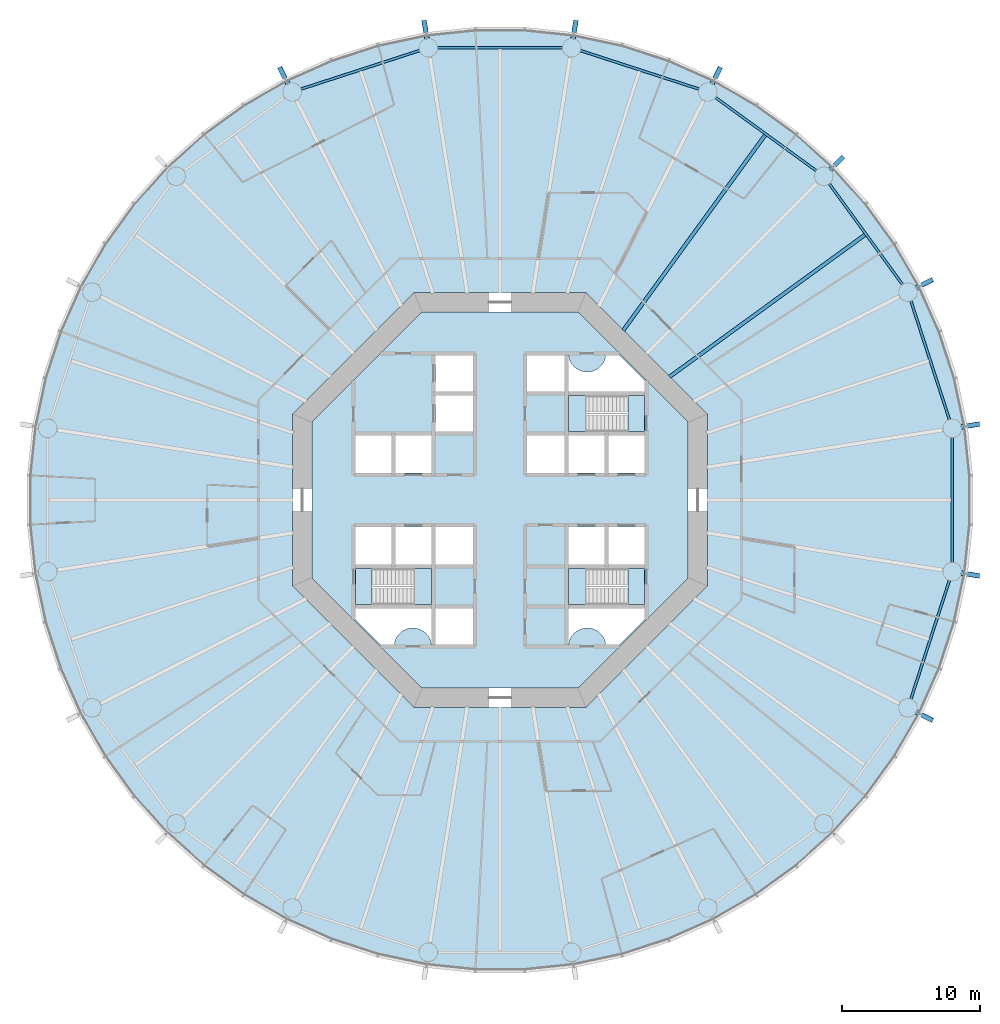
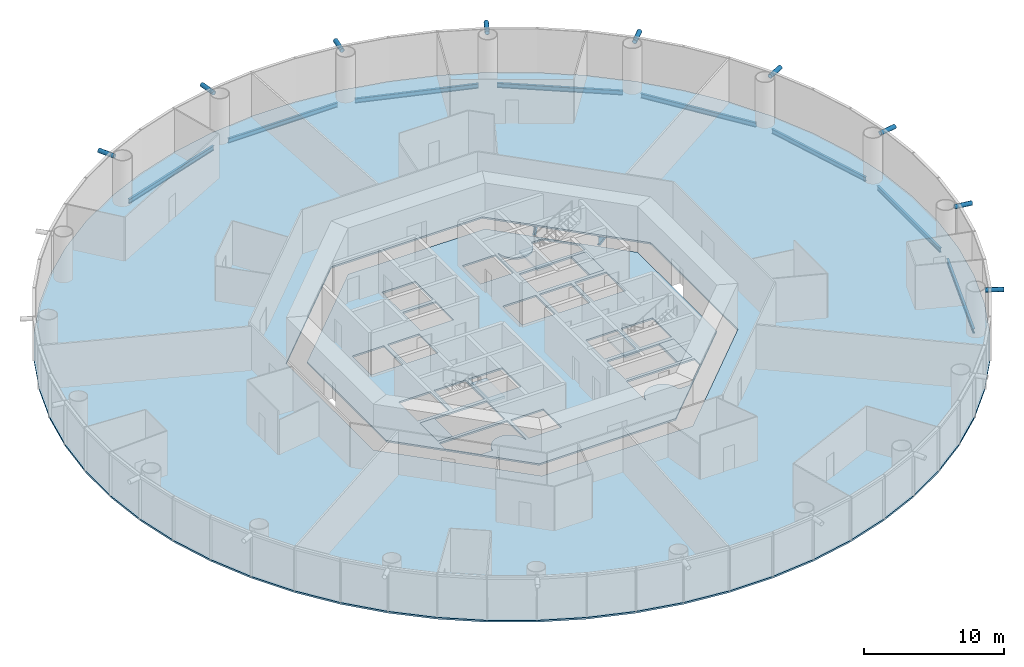
# One storey, part 2 of 13: 10 beams, 9 members, 8 slabs, 3 elements without a shape of their own.
"""IFC4 building model written with IfcOpenShell, lengths in metres."""

from ifc_helpers import new_model, si_unit, direction, frame, origin, origin_2d, place, context, subcontext, project, spatial, polyline, circle, hollow_circle, i_section, outline, extrude, material, layer, layer_set, material_profile, profile_set, type_object, element, aggregate, save


model = new_model("IFC4")

# Units and contexts
model_context = context("Model", 3, precision=1e-05, world=origin(), true_north=direction((0.0, 1.0)))
body_context = subcontext(model_context, "Body", "Model", "MODEL_VIEW")
ifc_project = project(units=[si_unit("LENGTHUNIT", "METRE"), si_unit("AREAUNIT", "SQUARE_METRE"), si_unit("VOLUMEUNIT", "CUBIC_METRE"), si_unit("PLANEANGLEUNIT", "RADIAN"), si_unit("MASSUNIT", "GRAM", prefix="KILO")], contexts=[model_context])

# Site, building, storey
site_placement = place(None, origin())
site = spatial("IfcSite", under=ifc_project, at=site_placement, CompositionType="ELEMENT")
building_placement = place(site_placement, origin())
building = spatial("IfcBuilding", under=site, at=building_placement, Name="Entoto Ring Tower", CompositionType="ELEMENT")
storey_placement = place(building_placement, frame((0.0, 0.0, 34.0)))
storey = spatial("IfcBuildingStorey", under=building, at=storey_placement, Name="L06", CompositionType="ELEMENT", Elevation=34.0)

# Members
ifc_material_1 = material(Name="Steel S355", Category="steel")
ifc_material_profile_1 = material_profile(ifc_material_1, hollow_circle(Radius=0.177734375, WallThickness=0.01611328125, at=origin_2d()), Name="CHS 355.6 x 16")
ifc_material_2 = material(Name="Concrete C60/75", Category="concrete")
ifc_material_profile_2 = material_profile(ifc_material_2, circle(Radius=0.161865234375, at=origin_2d()), Name="Concrete C60/75 infill")
ifc_profile_set_1 = profile_set([ifc_material_profile_1, ifc_material_profile_2], Name="Steel S355")
member_type = type_object("IfcMemberType", Name="Diagrid node strut 355.6 x 16", PredefinedType="STRUT", material=ifc_profile_set_1)
member_1_placement = place(storey_placement, frame((123.34130859375, 85.28076171875, 3.672119140625), z_axis=(0.987678819889, 0.156494564579, 0.0), x_axis=(-0.156494564579, 0.987678819889, 0.0)))
element("IfcMember", 1, at=member_1_placement, inside=storey, type_object=member_type, Name="DS1 strut ring 2 01", PredefinedType="STRUT", context=body_context, shape_type="SweptSolid", body=[
    extrude(hollow_circle(Radius=0.177734375, WallThickness=0.01611328125, at=origin_2d()), origin(), (0.0, 0.0, 1.0), 1.34326171875),
])
member_2_placement = place(storey_placement, frame((120.07763671875, 95.325439453125, 3.672119140625), z_axis=(0.891057529727, 0.453890381829, 0.0), x_axis=(-0.453890381829, 0.891057529727, 0.0)))
element("IfcMember", 2, at=member_2_placement, inside=storey, type_object=member_type, Name="DS1 strut ring 2 02", PredefinedType="STRUT", context=body_context, shape_type="SweptSolid", body=[
    extrude(hollow_circle(Radius=0.177734375, WallThickness=0.01611328125, at=origin_2d()), origin(), (0.0, 0.0, 1.0), 1.343017578125),
])
member_3_placement = place(storey_placement, frame((113.869873046875, 103.869873046875, 3.672119140625), z_axis=(0.707106781187, 0.707106781187, 0.0), x_axis=(-0.707106781187, 0.707106781187, 0.0)))
element("IfcMember", 3, at=member_3_placement, inside=storey, type_object=member_type, Name="DS1 strut ring 2 03", PredefinedType="STRUT", context=body_context, shape_type="SweptSolid", body=[
    extrude(hollow_circle(Radius=0.177734375, WallThickness=0.01611328125, at=origin_2d()), origin(), (0.0, 0.0, 1.0), 1.3427734375),
])
member_4_placement = place(storey_placement, frame((105.325439453125, 110.07763671875, 3.672119140625), z_axis=(0.453890381829, 0.891057529727, 0.0), x_axis=(-0.891057529727, 0.453890381829, 0.0)))
element("IfcMember", 4, at=member_4_placement, inside=storey, type_object=member_type, Name="DS1 strut ring 2 04", PredefinedType="STRUT", context=body_context, shape_type="SweptSolid", body=[
    extrude(hollow_circle(Radius=0.177734375, WallThickness=0.01611328125, at=origin_2d()), origin(), (0.0, 0.0, 1.0), 1.343017578125),
])
for number, where, z_axis, x_axis, name in (
    (5, (95.28076171875, 113.34130859375, 3.672119140625), (0.156494564579, 0.987678819889, 0.0), (-0.987678819889, 0.156494564579, 0.0), "DS1 strut ring 2 05"),
    (6, (84.71923828125, 113.34130859375, 3.672119140625), (-0.156494564579, 0.987678819889, 0.0), (-0.987678819889, -0.156494564579, 0.0), "DS1 strut ring 2 06"),
):
    element("IfcMember", number, at=place(storey_placement, frame(where, z_axis=z_axis, x_axis=x_axis)), inside=storey, type_object=member_type, Name=name, PredefinedType="STRUT", context=body_context, shape_type="SweptSolid", body=[
        extrude(hollow_circle(Radius=0.177734375, WallThickness=0.01611328125, at=origin_2d()), origin(), (0.0, 0.0, 1.0), 1.34326171875),
    ])
for number, where, z_axis, x_axis, name in (
    (7, (74.674560546875, 110.07763671875, 3.672119140625), (-0.453890381829, 0.891057529727, 0.0), (-0.891057529727, -0.453890381829, 0.0), "DS1 strut ring 2 07"),
    (8, (120.07763671875, 64.674560546875, 3.672119140625), (0.891057529727, -0.453890381829, 0.0), (0.453890381829, 0.891057529727, 0.0), "DS1 strut ring 2 19"),
):
    element("IfcMember", number, at=place(storey_placement, frame(where, z_axis=z_axis, x_axis=x_axis)), inside=storey, type_object=member_type, Name=name, PredefinedType="STRUT", context=body_context, shape_type="SweptSolid", body=[
        extrude(hollow_circle(Radius=0.177734375, WallThickness=0.01611328125, at=origin_2d()), origin(), (0.0, 0.0, 1.0), 1.343017578125),
    ])
member_5_placement = place(storey_placement, frame((123.34130859375, 74.71923828125, 3.672119140625), z_axis=(0.987678819889, -0.156494564579, 0.0), x_axis=(0.156494564579, 0.987678819889, 0.0)))
element("IfcMember", 9, at=member_5_placement, inside=storey, type_object=member_type, Name="DS1 strut ring 2 20", PredefinedType="STRUT", context=body_context, shape_type="SweptSolid", body=[
    extrude(hollow_circle(Radius=0.177734375, WallThickness=0.01611328125, at=origin_2d()), origin(), (0.0, 0.0, 1.0), 1.34326171875),
])

# Beams
ifc_material_3 = material(Name="Steel S355", Category="steel")
ifc_material_profile_3 = material_profile(ifc_material_3, i_section(OverallWidth=0.179931640625, OverallDepth=0.39990234375, WebThickness=0.008544921875, FlangeThickness=0.013427734375, FilletRadius=0.02099609375, at=origin_2d()), Name="IPE 400")
ifc_profile_set_2 = profile_set([ifc_material_profile_3], Name="Steel S355")
beam_type_1 = type_object("IfcBeamType", Name="Edge beam IPE 400", PredefinedType="SPANDREL", material=ifc_profile_set_2)
for number, where, z_axis, x_axis, name in (
    (10, (122.484130859375, 85.819091796875, -0.35009765625), (-0.309006400295, 0.951059958455, 0.0), (-0.951059958455, -0.309006400295, 0.0), "Edge beam L06 01"),
    (11, (119.09619140625, 95.572509765625, -0.35009765625), (-0.587792917156, 0.80901142547, 0.0), (-0.80901142547, -0.587792917156, 0.0), "Edge beam L06 02"),
    (12, (112.85986328125, 103.801513671875, -0.35009765625), (-0.80901142547, 0.587792917156, 0.0), (-0.587792917156, -0.80901142547, 0.0), "Edge beam L06 03"),
    (13, (104.385986328125, 109.70068359375, -0.35009765625), (-0.951059958455, 0.309006400295, 0.0), (-0.309006400295, -0.951059958455, 0.0), "Edge beam L06 04"),
    (14, (94.50390625, 112.6923828125, -0.35009765625), (-1.0, 0.0, 0.0), (0.0, -1.0, 0.0), "Edge beam L06 05"),
    (15, (84.180908203125, 112.484130859375, -0.35009765625), (-0.951059958455, -0.309006400295, 0.0), (0.309006400295, -0.951059958455, 0.0), "Edge beam L06 06"),
    (16, (119.70068359375, 65.614013671875, -0.35009765625), (0.309006400295, 0.951059958455, 0.0), (-0.951059958455, 0.309006400295, 0.0), "Edge beam L06 19"),
    (17, (122.6923828125, 75.49609375, -0.35009765625), (0.0, 1.0, 0.0), (-1.0, 0.0, 0.0), "Edge beam L06 20"),
):
    element("IfcBeam", number, at=place(storey_placement, frame(where, z_axis=z_axis, x_axis=x_axis)), inside=storey, type_object=beam_type_1, Name=name, PredefinedType="SPANDREL", context=body_context, shape_type="SweptSolid", body=[
        extrude(i_section(OverallWidth=0.179931640625, OverallDepth=0.39990234375, WebThickness=0.008544921875, FlangeThickness=0.013427734375, FilletRadius=0.02099609375, at=origin_2d()), origin(), (0.0, 0.0, 1.0), 9.0078125),
    ])
ifc_material_4 = material(Name="Steel S355", Category="steel")
ifc_material_profile_4 = material_profile(ifc_material_4, i_section(OverallWidth=0.262939453125, OverallDepth=0.7529296875, WebThickness=0.011474609375, FlangeThickness=0.01708984375, FilletRadius=0.01708984375, at=origin_2d()), Name="IPE 750 x 137")
ifc_profile_set_3 = profile_set([ifc_material_profile_4], Name="Steel S355")
beam_type_2 = type_object("IfcBeamType", Name="Secondary floor beam IPE 750 x 137", PredefinedType="JOIST", material=ifc_profile_set_3)
for number, where, z_axis, x_axis, name in (
    (18, (102.25341796875, 88.902587890625, -0.526611328125), (0.809014194973, 0.58778910532, 0.0), (-0.58778910532, 0.809014194973, 0.0), "Secondary beam L06 02"),
    (19, (98.902587890625, 92.25341796875, -0.526611328125), (0.58778910532, 0.809014194973, 0.0), (-0.809014194973, 0.58778910532, 0.0), "Secondary beam L06 03"),
):
    element("IfcBeam", number, at=place(storey_placement, frame(where, z_axis=z_axis, x_axis=x_axis)), inside=storey, type_object=beam_type_2, Name=name, PredefinedType="JOIST", context=body_context, shape_type="SweptSolid", body=[
        extrude(i_section(OverallWidth=0.262939453125, OverallDepth=0.7529296875, WebThickness=0.011474609375, FlangeThickness=0.01708984375, FilletRadius=0.01708984375, at=origin_2d()), origin(), (0.0, 0.0, 1.0), 17.45654296875),
    ])

# Slabs
ifc_material_5 = material(Name="Concrete C30/37", Category="concrete")
ifc_layer_1 = layer(ifc_material_5, 0.14990234375)
ifc_layer_set_1 = layer_set([ifc_layer_1], Name="Concrete C30/37")
slab_type_1 = type_object("IfcSlabType", Name="Composite floor slab 150 mm", PredefinedType="FLOOR", material=ifc_layer_set_1)
slab_1_placement = place(storey_placement, frame((0.0, 0.0, -0.14990234375)))
element("IfcSlab", 20, at=slab_1_placement, inside=storey, type_object=slab_type_1, Name="Floor slab L06", PredefinedType="FLOOR", context=body_context, shape_type="SweptSolid", body=[
    extrude(outline(polyline([(123.68017578125, 85.33447265625), (122.93798828125, 88.82568359375), (121.835205078125, 92.220458984375), (120.38330078125, 95.48095703125), (118.5986328125, 98.572265625), (116.500732421875, 101.459716796875), (114.1123046875, 104.1123046875), (111.459716796875, 106.500732421875), (108.572265625, 108.5986328125), (105.48095703125, 110.38330078125), (102.220458984375, 111.835205078125), (98.82568359375, 112.93798828125), (95.33447265625, 113.68017578125), (91.78466796875, 114.05322265625), (88.21533203125, 114.05322265625), (84.66552734375, 113.68017578125), (81.17431640625, 112.93798828125), (77.779541015625, 111.835205078125), (74.51904296875, 110.38330078125), (71.427734375, 108.5986328125), (68.540283203125, 106.500732421875), (65.8876953125, 104.1123046875), (63.499267578125, 101.459716796875), (61.4013671875, 98.572265625), (59.61669921875, 95.48095703125), (58.164794921875, 92.220458984375), (57.06201171875, 88.82568359375), (56.31982421875, 85.33447265625), (55.94677734375, 81.78466796875), (55.94677734375, 78.21533203125), (56.31982421875, 74.66552734375), (57.06201171875, 71.17431640625), (58.164794921875, 67.779541015625), (59.61669921875, 64.51904296875), (61.4013671875, 61.427734375), (63.499267578125, 58.540283203125), (65.8876953125, 55.8876953125), (68.540283203125, 53.499267578125), (71.427734375, 51.4013671875), (74.51904296875, 49.61669921875), (77.779541015625, 48.164794921875), (81.17431640625, 47.06201171875), (84.66552734375, 46.31982421875), (88.21533203125, 45.94677734375), (91.78466796875, 45.94677734375), (95.33447265625, 46.31982421875), (98.82568359375, 47.06201171875), (102.220458984375, 48.164794921875), (105.48095703125, 49.61669921875), (108.572265625, 51.4013671875), (111.459716796875, 53.499267578125), (114.1123046875, 55.8876953125), (116.500732421875, 58.540283203125), (118.5986328125, 61.427734375), (120.38330078125, 64.51904296875), (121.835205078125, 67.779541015625), (122.93798828125, 71.17431640625), (123.68017578125, 74.66552734375), (124.05322265625, 78.21533203125), (124.05322265625, 81.78466796875), (123.68017578125, 85.33447265625)]), holes=[polyline([(105.0, 73.786865234375), (105.0, 86.213134765625), (96.213134765625, 95.0), (83.786865234375, 95.0), (75.0, 86.213134765625), (75.0, 73.786865234375), (83.786865234375, 65.0), (96.213134765625, 65.0), (105.0, 73.786865234375)])]), origin(), (0.0, 0.0, 1.0), 0.14990234375),
])
ifc_material_6 = material(Name="Concrete C40/50", Category="concrete")
ifc_layer_2 = layer(ifc_material_6, 0.14990234375)
ifc_layer_set_2 = layer_set([ifc_layer_2], Name="Concrete C40/50")
slab_type_2 = type_object("IfcSlabType", Name="Core floor slab 150 mm reinforced concrete C40/50", PredefinedType="FLOOR", material=ifc_layer_set_2)
slab_2_placement = place(storey_placement, frame((0.0, 0.0, -0.14990234375)))
element("IfcSlab", 21, at=slab_2_placement, inside=storey, type_object=slab_type_2, Name="Core floor L06", PredefinedType="FLOOR", context=body_context, shape_type="SweptSolid", body=[
    extrude(outline(polyline([(103.60009765625, 74.36669921875), (103.60009765625, 85.63330078125), (95.63330078125, 93.60009765625), (84.36669921875, 93.60009765625), (76.39990234375, 85.63330078125), (76.39990234375, 74.36669921875), (84.36669921875, 66.39990234375), (95.63330078125, 66.39990234375), (103.60009765625, 74.36669921875)]), holes=[polyline([(100.449951171875, 84.949951171875), (100.449951171875, 87.550048828125), (94.949951171875, 87.550048828125), (94.949951171875, 84.949951171875), (100.449951171875, 84.949951171875)]), polyline([(85.050048828125, 72.449951171875), (85.050048828125, 75.050048828125), (79.550048828125, 75.050048828125), (79.550048828125, 72.449951171875), (85.050048828125, 72.449951171875)]), polyline([(100.449951171875, 72.449951171875), (100.449951171875, 75.050048828125), (94.949951171875, 75.050048828125), (94.949951171875, 72.449951171875), (100.449951171875, 72.449951171875)]), polyline([(94.949951171875, 81.949951171875), (97.550048828125, 81.949951171875), (97.550048828125, 84.64990234375), (94.949951171875, 84.64990234375), (94.949951171875, 81.949951171875)]), polyline([(97.85009765625, 81.949951171875), (100.449951171875, 81.949951171875), (100.449951171875, 84.64990234375), (97.85009765625, 84.64990234375), (97.85009765625, 81.949951171875)]), polyline([(82.449951171875, 81.949951171875), (85.050048828125, 81.949951171875), (85.050048828125, 84.64990234375), (82.449951171875, 84.64990234375), (82.449951171875, 81.949951171875)]), polyline([(94.949951171875, 75.35009765625), (97.550048828125, 75.35009765625), (97.550048828125, 78.050048828125), (94.949951171875, 78.050048828125), (94.949951171875, 75.35009765625)]), polyline([(97.85009765625, 75.35009765625), (100.449951171875, 75.35009765625), (100.449951171875, 78.050048828125), (97.85009765625, 78.050048828125), (97.85009765625, 75.35009765625)]), polyline([(82.449951171875, 75.35009765625), (85.050048828125, 75.35009765625), (85.050048828125, 78.050048828125), (82.449951171875, 78.050048828125), (82.449951171875, 75.35009765625)]), polyline([(79.550048828125, 81.949951171875), (82.14990234375, 81.949951171875), (82.14990234375, 84.64990234375), (79.550048828125, 84.64990234375), (79.550048828125, 81.949951171875)]), polyline([(79.550048828125, 75.35009765625), (82.14990234375, 75.35009765625), (82.14990234375, 78.050048828125), (79.550048828125, 78.050048828125), (79.550048828125, 75.35009765625)]), polyline([(91.949951171875, 87.85009765625), (94.64990234375, 87.85009765625), (94.64990234375, 90.449951171875), (91.949951171875, 90.449951171875), (91.949951171875, 87.85009765625)]), polyline([(85.35009765625, 69.550048828125), (88.050048828125, 69.550048828125), (88.050048828125, 72.14990234375), (85.35009765625, 72.14990234375), (85.35009765625, 69.550048828125)]), polyline([(91.949951171875, 81.949951171875), (94.64990234375, 81.949951171875), (94.64990234375, 84.64990234375), (91.949951171875, 84.64990234375), (91.949951171875, 81.949951171875)]), polyline([(85.35009765625, 75.35009765625), (88.050048828125, 75.35009765625), (88.050048828125, 78.050048828125), (85.35009765625, 78.050048828125), (85.35009765625, 75.35009765625)]), polyline([(85.35009765625, 84.949951171875), (88.050048828125, 84.949951171875), (88.050048828125, 87.550048828125), (85.35009765625, 87.550048828125), (85.35009765625, 84.949951171875)]), polyline([(85.35009765625, 87.85009765625), (88.050048828125, 87.85009765625), (88.050048828125, 90.449951171875), (85.35009765625, 90.449951171875), (85.35009765625, 87.85009765625)]), polyline([(94.89990234375, 90.5), (94.89990234375, 87.800048828125), (100.5, 87.800048828125), (100.5, 88.591796875), (98.591796875, 90.5), (97.64501953125, 90.5), (97.6435546875, 90.4677734375), (97.6240234375, 90.336669921875), (97.591796875, 90.2080078125), (97.547119140625, 90.08349609375), (97.490478515625, 89.963623046875), (97.422607421875, 89.85009765625), (97.343505859375, 89.74365234375), (97.254638671875, 89.6455078125), (97.156494140625, 89.556396484375), (97.050048828125, 89.4775390625), (96.936279296875, 89.409423828125), (96.816650390625, 89.352783203125), (96.69189453125, 89.30810546875), (96.5634765625, 89.27587890625), (96.432373046875, 89.256591796875), (96.300048828125, 89.25), (96.167724609375, 89.256591796875), (96.03662109375, 89.27587890625), (95.908203125, 89.30810546875), (95.783447265625, 89.352783203125), (95.66357421875, 89.409423828125), (95.550048828125, 89.4775390625), (95.443603515625, 89.556396484375), (95.345458984375, 89.6455078125), (95.25634765625, 89.74365234375), (95.177490234375, 89.85009765625), (95.109375, 89.963623046875), (95.052734375, 90.08349609375), (95.008056640625, 90.2080078125), (94.975830078125, 90.336669921875), (94.95654296875, 90.4677734375), (94.954833984375, 90.5), (94.89990234375, 90.5)]), polyline([(79.5, 71.408203125), (81.408203125, 69.5), (82.35498046875, 69.5), (82.3564453125, 69.5322265625), (82.3759765625, 69.663330078125), (82.408203125, 69.7919921875), (82.452880859375, 69.91650390625), (82.509521484375, 70.036376953125), (82.577392578125, 70.14990234375), (82.656494140625, 70.25634765625), (82.745361328125, 70.3544921875), (82.843505859375, 70.443603515625), (82.949951171875, 70.5224609375), (83.063720703125, 70.590576171875), (83.183349609375, 70.647216796875), (83.30810546875, 70.69189453125), (83.4365234375, 70.72412109375), (83.567626953125, 70.743408203125), (83.699951171875, 70.75), (83.832275390625, 70.743408203125), (83.96337890625, 70.72412109375), (84.091796875, 70.69189453125), (84.216552734375, 70.647216796875), (84.33642578125, 70.590576171875), (84.449951171875, 70.5224609375), (84.556396484375, 70.443603515625), (84.654541015625, 70.3544921875), (84.74365234375, 70.25634765625), (84.822509765625, 70.14990234375), (84.890625, 70.036376953125), (84.947265625, 69.91650390625), (84.991943359375, 69.7919921875), (85.024169921875, 69.663330078125), (85.04345703125, 69.5322265625), (85.045166015625, 69.5), (85.10009765625, 69.5), (85.10009765625, 72.199951171875), (79.5, 72.199951171875), (79.5, 71.408203125)]), polyline([(97.64501953125, 69.5), (98.591796875, 69.5), (100.5, 71.408203125), (100.5, 72.199951171875), (94.89990234375, 72.199951171875), (94.89990234375, 69.5), (94.954833984375, 69.5), (94.95654296875, 69.5322265625), (94.975830078125, 69.663330078125), (95.008056640625, 69.7919921875), (95.052734375, 69.91650390625), (95.109375, 70.036376953125), (95.177490234375, 70.14990234375), (95.25634765625, 70.25634765625), (95.345458984375, 70.3544921875), (95.443603515625, 70.443603515625), (95.550048828125, 70.5224609375), (95.66357421875, 70.590576171875), (95.783447265625, 70.647216796875), (95.908203125, 70.69189453125), (96.03662109375, 70.72412109375), (96.167724609375, 70.743408203125), (96.300048828125, 70.75), (96.432373046875, 70.743408203125), (96.5634765625, 70.72412109375), (96.69189453125, 70.69189453125), (96.816650390625, 70.647216796875), (96.936279296875, 70.590576171875), (97.050048828125, 70.5224609375), (97.156494140625, 70.443603515625), (97.254638671875, 70.3544921875), (97.343505859375, 70.25634765625), (97.422607421875, 70.14990234375), (97.490478515625, 70.036376953125), (97.547119140625, 69.91650390625), (97.591796875, 69.7919921875), (97.6240234375, 69.663330078125), (97.6435546875, 69.5322265625), (97.64501953125, 69.5)])]), origin(), (0.0, 0.0, 1.0), 0.14990234375),
])

# Stair, slabs
ifc_material_7 = material(Name="Concrete C40/50", Category="concrete")
stair_type = type_object("IfcStairType", Name="Exit stair 1200 mm dog-leg reinforced concrete", PredefinedType="HALF_TURN_STAIR", material=ifc_material_7)
stair_1_placement = place(storey_placement, origin())
stair_1 = element("IfcStair", 22, at=stair_1_placement, inside=storey, type_object=stair_type, Name="Exit stair 1", PredefinedType="HALF_TURN_STAIR")
ifc_material_8 = material(Name="Concrete C40/50", Category="concrete")
ifc_layer_3 = layer(ifc_material_8, 0.199951171875)
ifc_layer_set_3 = layer_set([ifc_layer_3], Name="Concrete C40/50")
slab_type_3 = type_object("IfcSlabType", Name="Stair landing 200 mm reinforced concrete", PredefinedType="LANDING", material=ifc_layer_set_3)
slab_3_placement = place(storey_placement, frame((0.0, 0.0, -0.199951171875)))
slab_3 = element("IfcSlab", 23, at=slab_3_placement, type_object=slab_type_3, Name="ST1 landing 1", PredefinedType="LANDING", context=body_context, shape_type="SweptSolid", body=[
    extrude(outline(polyline([(100.449951171875, 84.949951171875), (100.449951171875, 87.550048828125), (99.25, 87.550048828125), (99.25, 84.949951171875), (100.449951171875, 84.949951171875)])), origin(), (0.0, 0.0, 1.0), 0.199951171875),
])
slab_4_placement = place(storey_placement, frame((0.0, 0.0, 1.800048828125)))
slab_4 = element("IfcSlab", 24, at=slab_4_placement, type_object=slab_type_3, Name="ST1 landing 2", PredefinedType="LANDING", context=body_context, shape_type="SweptSolid", body=[
    extrude(outline(polyline([(94.949951171875, 84.949951171875), (96.169921875, 84.949951171875), (96.169921875, 87.550048828125), (94.949951171875, 87.550048828125), (94.949951171875, 84.949951171875)])), origin(), (0.0, 0.0, 1.0), 0.199951171875),
])
aggregate(stair_1, [slab_3, slab_4])

stair_2_placement = place(storey_placement, origin())
stair_2 = element("IfcStair", 25, at=stair_2_placement, inside=storey, type_object=stair_type, Name="Exit stair 2", PredefinedType="HALF_TURN_STAIR")
slab_5_placement = place(storey_placement, frame((0.0, 0.0, -0.199951171875)))
slab_5 = element("IfcSlab", 26, at=slab_5_placement, type_object=slab_type_3, Name="ST2 landing 1", PredefinedType="LANDING", context=body_context, shape_type="SweptSolid", body=[
    extrude(outline(polyline([(80.75, 72.449951171875), (80.75, 75.050048828125), (79.550048828125, 75.050048828125), (79.550048828125, 72.449951171875), (80.75, 72.449951171875)])), origin(), (0.0, 0.0, 1.0), 0.199951171875),
])
slab_6_placement = place(storey_placement, frame((0.0, 0.0, 1.800048828125)))
slab_6 = element("IfcSlab", 27, at=slab_6_placement, type_object=slab_type_3, Name="ST2 landing 2", PredefinedType="LANDING", context=body_context, shape_type="SweptSolid", body=[
    extrude(outline(polyline([(83.830078125, 72.449951171875), (85.050048828125, 72.449951171875), (85.050048828125, 75.050048828125), (83.830078125, 75.050048828125), (83.830078125, 72.449951171875)])), origin(), (0.0, 0.0, 1.0), 0.199951171875),
])
aggregate(stair_2, [slab_5, slab_6])

stair_3_placement = place(storey_placement, origin())
stair_3 = element("IfcStair", 28, at=stair_3_placement, inside=storey, type_object=stair_type, Name="Exit stair 3", PredefinedType="HALF_TURN_STAIR")
slab_7_placement = place(storey_placement, frame((0.0, 0.0, -0.199951171875)))
slab_7 = element("IfcSlab", 29, at=slab_7_placement, type_object=slab_type_3, Name="ST3 landing 1", PredefinedType="LANDING", context=body_context, shape_type="SweptSolid", body=[
    extrude(outline(polyline([(100.449951171875, 72.449951171875), (100.449951171875, 75.050048828125), (99.25, 75.050048828125), (99.25, 72.449951171875), (100.449951171875, 72.449951171875)])), origin(), (0.0, 0.0, 1.0), 0.199951171875),
])
slab_8_placement = place(storey_placement, frame((0.0, 0.0, 1.800048828125)))
slab_8 = element("IfcSlab", 30, at=slab_8_placement, type_object=slab_type_3, Name="ST3 landing 2", PredefinedType="LANDING", context=body_context, shape_type="SweptSolid", body=[
    extrude(outline(polyline([(94.949951171875, 72.449951171875), (96.169921875, 72.449951171875), (96.169921875, 75.050048828125), (94.949951171875, 75.050048828125), (94.949951171875, 72.449951171875)])), origin(), (0.0, 0.0, 1.0), 0.199951171875),
])
aggregate(stair_3, [slab_7, slab_8])

save(model, "model.ifc")
